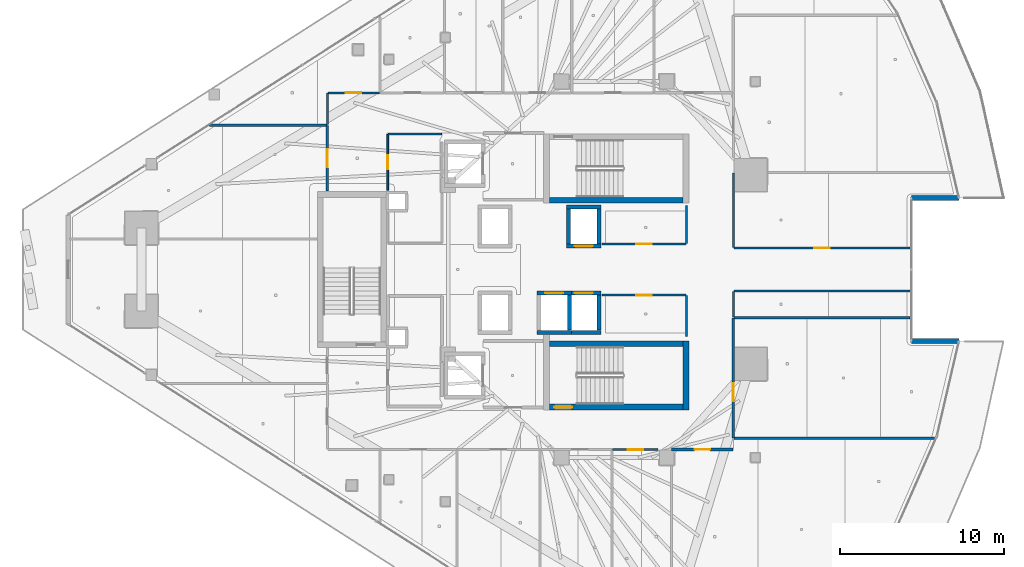
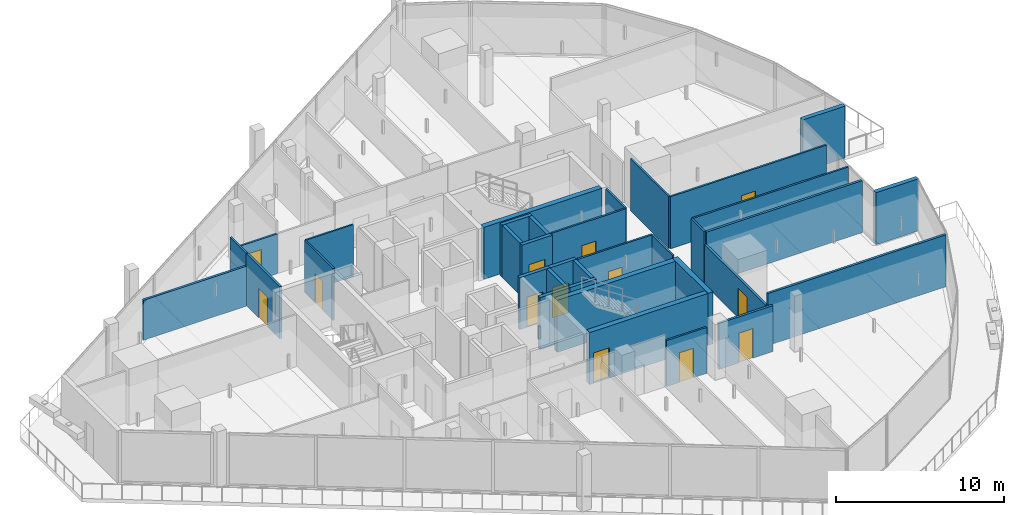
# One storey, part 23 of 33: 35 walls, 13 doors, 13 openings.
"""IFC4 building model written with IfcOpenShell, lengths in metres."""

import ifcopenshell
import ifcopenshell.guid

model = None  # the IFC model being written
_history = None  # IfcOwnerHistory: only IFC2X3 demands one
_inside = {}  # id of a spatial element -> (the spatial element, [elements in it])
_under = {}  # id of a project, library or spatial element -> (it, [spatial elements below it])
_declared = {}  # id of a project -> (the project, [libraries it declares])
_typed = {}  # id of a type object -> (the type object, [elements of that type])
_made_of = {}  # id of a material, layer set ... -> (it, [elements and type objects made of it])


def new_model(schema):
    """Start an empty IFC model of exactly this schema.

    Asked for "IFC4X3", IfcOpenShell would pick the latest addendum, in which some entities
    have other attributes; the version numbers below select the first issue.
    IFC2X3 requires an IfcOwnerHistory on every rooted entity: one is made here for all.
    """
    global model, _history
    if schema == "IFC4X3":
        model = ifcopenshell.file(schema_version=(4, 3, 0, 0))
    else:
        model = ifcopenshell.file(schema=schema)
    _inside.clear()
    _under.clear()
    _declared.clear()
    _typed.clear()
    _made_of.clear()
    _history = None
    if model.schema == "IFC2X3":
        org = make("IfcOrganization", Name="unknown")
        user = make(
            "IfcPersonAndOrganization",
            ThePerson=make("IfcPerson", FamilyName="unknown"),
            TheOrganization=org,
        )
        app = make(
            "IfcApplication",
            ApplicationDeveloper=org,
            Version="unknown",
            ApplicationFullName="unknown",
            ApplicationIdentifier="unknown",
        )
        _history = make(
            "IfcOwnerHistory",
            OwningUser=user,
            OwningApplication=app,
            ChangeAction="ADDED",
            CreationDate=0,
        )
    return model


def make(cls, **values):
    """One entity of the class cls with the attributes given. An attribute that is None is left unset."""
    return model.create_entity(
        cls, **{name: value for name, value in values.items() if value is not None}
    )


def rooted(cls, **values):
    """An entity with a GlobalId (a new one), such as an element, a storey or a relation."""
    return make(cls, GlobalId=ifcopenshell.guid.new(), OwnerHistory=_history, **values)


def si_unit(unit_type, name, prefix=None):
    """IfcSIUnit, for example si_unit("LENGTHUNIT", "METRE", prefix="MILLI")."""
    return make("IfcSIUnit", UnitType=unit_type, Prefix=prefix, Name=name)


def assignment(units):
    """IfcUnitAssignment: the units of a project."""
    return None if units is None else make("IfcUnitAssignment", Units=units)


def point(xyz):
    """IfcCartesianPoint."""
    return None if xyz is None else make("IfcCartesianPoint", Coordinates=xyz)


def direction(xyz):
    """IfcDirection."""
    return None if xyz is None else make("IfcDirection", DirectionRatios=xyz)


def frame(location, z_axis=None, x_axis=None):
    """IfcAxis2Placement3D, a coordinate frame: its origin and axes. An axis left out is left unset."""
    return make(
        "IfcAxis2Placement3D",
        Location=point(location),
        Axis=direction(z_axis),
        RefDirection=direction(x_axis),
    )


def frame_2d(location, x_axis=None):
    """IfcAxis2Placement2D, a coordinate frame in the plane: its origin and x axis."""
    return make(
        "IfcAxis2Placement2D", Location=point(location), RefDirection=direction(x_axis)
    )


def origin():
    """The frame at (0, 0, 0) with its axes left unset."""
    return frame((0.0, 0.0, 0.0))


def place(relative_to, where):
    """IfcLocalPlacement: puts the frame where relative to a parent placement (None: the world)."""
    return make(
        "IfcLocalPlacement", PlacementRelTo=relative_to, RelativePlacement=where
    )


def context(
    kind, dimensions, precision=None, world=None, true_north=None, identifier=None
):
    """IfcGeometricRepresentationContext, for example the 3D "Model" context."""
    return make(
        "IfcGeometricRepresentationContext",
        ContextIdentifier=identifier,
        ContextType=kind,
        CoordinateSpaceDimension=dimensions,
        Precision=precision,
        WorldCoordinateSystem=world,
        TrueNorth=true_north,
    )


def subcontext(parent, identifier, kind, view, scale=None):
    """IfcGeometricRepresentationSubContext, for example "Body" below "Model"."""
    return make(
        "IfcGeometricRepresentationSubContext",
        ContextIdentifier=identifier,
        ContextType=kind,
        ParentContext=parent,
        TargetScale=scale,
        TargetView=view,
    )


def project(units=None, contexts=None):
    """IfcProject with its units and contexts."""
    return rooted(
        "IfcProject",
        Name="project",
        RepresentationContexts=contexts,
        UnitsInContext=assignment(units),
    )


def spatial(cls, under=None, at=None, **own):
    """A site, building, storey or space (cls), placed at a placement, below another one or the project."""
    s = rooted(cls, ObjectPlacement=at, **own)
    if under is not None:
        _under.setdefault(under.id(), (under, []))[1].append(s)
    return s


def profile(cls, at=None, kind="AREA", **sizes):
    """A parametric profile (cls). Its sizes go by their IFC names, for example OverallWidth=200.0."""
    return make(cls, ProfileType=kind, Position=at, **sizes)


def rectangle(**sizes):
    """IfcRectangleProfileDef."""
    return profile("IfcRectangleProfileDef", **sizes)


def extrude(swept, where, along, depth):
    """IfcExtrudedAreaSolid: the profile swept, set in the frame where, extruded along a direction by depth."""
    return make(
        "IfcExtrudedAreaSolid",
        SweptArea=swept,
        Position=where,
        ExtrudedDirection=direction(along),
        Depth=depth,
    )


def shape(context_of_items, identifier, shape_type, items):
    """IfcShapeRepresentation: the items that make up one representation, for example the "Body"."""
    return make(
        "IfcShapeRepresentation",
        ContextOfItems=context_of_items,
        RepresentationIdentifier=identifier,
        RepresentationType=shape_type,
        Items=items,
    )


def material(Name=None, Category=None):
    """IfcMaterial."""
    return make("IfcMaterial", Name=Name, Category=Category)


def layer(
    of_material, thickness, ventilated=None, Name=None, Category=None, Priority=None
):
    """IfcMaterialLayer: one layer of a wall or slab, of a material (None: an air gap)."""
    return make(
        "IfcMaterialLayer",
        Material=of_material,
        LayerThickness=thickness,
        IsVentilated=ventilated,
        Name=Name,
        Category=Category,
        Priority=Priority,
    )


def layer_set(layers, Name=None):
    """IfcMaterialLayerSet."""
    return make("IfcMaterialLayerSet", MaterialLayers=layers, LayerSetName=Name)


def made_of(thing, what):
    """Note that an element or type object is made of a material, layer set ...; save() writes the relation."""
    if what is not None:
        _made_of.setdefault(what.id(), (what, []))[1].append(thing)
    return thing


def type_object(cls, material=None, **own):
    """A type object (cls), such as IfcWallType, which elements share."""
    return made_of(rooted(cls, **own), material)


def element(
    cls,
    number,
    at=None,
    inside=None,
    cuts=None,
    type_object=None,
    material=None,
    context=None,
    identifier="Body",
    shape_type=None,
    held_by="IfcProductDefinitionShape",
    body=None,
    shapes=None,
    **own,
):
    """One element of the class cls, such as IfcWall. Its Tag is "e" and its number.

    at: its placement. inside: the storey or other place that contains it. cuts: it is an
    opening in that element (IfcRelVoidsElement). A single representation is given by context,
    identifier, shape_type and body (its items); several are given by shapes. held_by: the class
    of the entity that holds the representations. save() writes the other relations.
    """
    e = rooted(cls, Tag="e%d" % number, ObjectPlacement=at, **own)
    if body is not None:
        shapes = [shape(context, identifier, shape_type, body)]
    if shapes is not None:
        e.Representation = make(held_by, Representations=shapes)
    if inside is not None:
        _inside.setdefault(inside.id(), (inside, []))[1].append(e)
    if cuts is not None:
        rooted(
            "IfcRelVoidsElement", RelatingBuildingElement=cuts, RelatedOpeningElement=e
        )
    if type_object is not None:
        _typed.setdefault(type_object.id(), (type_object, []))[1].append(e)
    return made_of(e, material)


def fill(opening, filler):
    """IfcRelFillsElement: the door or window that sits in an opening."""
    return rooted(
        "IfcRelFillsElement",
        RelatingOpeningElement=opening,
        RelatedBuildingElement=filler,
    )


def aggregate(whole, parts):
    """IfcRelAggregates: a whole, such as a stair, and the parts it consists of."""
    return rooted("IfcRelAggregates", RelatingObject=whole, RelatedObjects=parts)


def save(model, path):
    """Write the relations noted so far, then the file.

    IfcRelAggregates (storeys below a building ...), IfcRelContainedInSpatialStructure (elements
    in a storey), IfcRelDefinesByType, IfcRelAssociatesMaterial and IfcRelDeclares: one each for
    every whole, place, type object, material and project.
    """
    for whole, parts in _under.values():
        aggregate(whole, parts)
    for where, things in _inside.values():
        rooted(
            "IfcRelContainedInSpatialStructure",
            RelatedElements=things,
            RelatingStructure=where,
        )
    for kind, things in _typed.values():
        rooted("IfcRelDefinesByType", RelatedObjects=things, RelatingType=kind)
    for what, things in _made_of.values():
        rooted("IfcRelAssociatesMaterial", RelatedObjects=things, RelatingMaterial=what)
    for by, libraries in _declared.values():
        rooted("IfcRelDeclares", RelatingContext=by, RelatedDefinitions=libraries)
    model.write(path)


model = new_model("IFC4")

# Units and contexts
model_context = context("Model", 3, precision=1e-05, world=origin(), true_north=direction((0.0, 1.0)))
body_context = subcontext(model_context, "Body", "Model", "MODEL_VIEW")
ifc_project = project(units=[si_unit("LENGTHUNIT", "METRE"), si_unit("AREAUNIT", "SQUARE_METRE"), si_unit("VOLUMEUNIT", "CUBIC_METRE"), si_unit("PLANEANGLEUNIT", "RADIAN"), si_unit("MASSUNIT", "GRAM", prefix="KILO")], contexts=[model_context])

# Site, building, storey
site_placement = place(None, origin())
site = spatial("IfcSite", under=ifc_project, at=site_placement, CompositionType="ELEMENT")
building_placement = place(site_placement, origin())
building = spatial("IfcBuilding", under=site, at=building_placement, Name="Qorvath Tower", CompositionType="ELEMENT")
storey_placement = place(building_placement, frame((0.0, 0.0, 209.10009765625)))
storey = spatial("IfcBuildingStorey", under=building, at=storey_placement, Name="L48", CompositionType="ELEMENT", Elevation=209.10009765625)

# Wall
ifc_material_1 = material(Name="Double acoustic gypsum board on steel studs", Category="steel")
ifc_layer_1 = layer(ifc_material_1, 0.159912109375)
ifc_layer_set_1 = layer_set([ifc_layer_1], Name="IW-ACOUSTIC-160")
wall_type_1 = type_object("IfcWallType", Name="IW-ACOUSTIC-160", PredefinedType="PARTITIONING", material=ifc_layer_set_1)
wall_1_placement = place(storey_placement, frame((-0.886474609375, -10.27880859375, 0.0), z_axis=(0.0, 0.0, 1.0), x_axis=(-0.999999928079, 0.0003792642, 0.0)))
element("IfcWall", 1, at=wall_1_placement, inside=storey, type_object=wall_type_1, Name="Interior Partition IW-T1-L48-044", PredefinedType="PARTITIONING", context=body_context, shape_type="SweptSolid", body=[
    extrude(rectangle(XDim=12.230712890625, YDim=0.159912109375, at=frame_2d((6.115234375, 0.0))), origin(), (0.0, 0.0, 1.0), 3.77978515625),
])

# Wall, opening, door
wall_2_placement = place(storey_placement, frame((-13.1669921875, -10.9580078125, 0.0), z_axis=(0.0, 0.0, 1.0), x_axis=(-1.0, 0.0, 0.0)))
wall_2 = element("IfcWall", 2, at=wall_2_placement, inside=storey, type_object=wall_type_1, Name="Interior Partition IW-T1-L48-045", PredefinedType="PARTITIONING", context=body_context, shape_type="SweptSolid", body=[
    extrude(rectangle(XDim=3.726806640625, YDim=0.159912109375, at=frame_2d((1.86328125, 0.0))), origin(), (0.0, 0.0, 1.0), 3.343994140625),
])
opening_1_placement = place(wall_2_placement, frame((1.388427734375, 0.0, 0.0)))
opening_1 = element("IfcOpeningElement", 3, at=opening_1_placement, cuts=wall_2, Name="Opening D-T1-L48-23", PredefinedType="OPENING", context=body_context, shape_type="SweptSolid", body=[
    extrude(rectangle(XDim=0.949951171875, YDim=2.14990234375, at=frame_2d((0.47509765625, 1.074951171875))), frame((0.0, 0.08984375, 0.0), z_axis=(0.0, -1.0, 0.0), x_axis=(1.0, 0.0, 0.0)), (0.0, 0.0, 1.0), 0.179931640625),
])
ifc_material_2 = material(Name="Solid-core American white oak veneer", Category="wood")
door_type_1 = type_object("IfcDoorType", Name="D-01", OperationType="NOTDEFINED", PredefinedType="DOOR", material=ifc_material_2)
door_1_placement = place(opening_1_placement, origin())
door_1 = element("IfcDoor", 4, at=door_1_placement, inside=storey, type_object=door_type_1, Name="L48-10 Breakout Reading Alcove Door D-T1-L48-23", OperationType="SINGLE_SWING_LEFT", OverallHeight=2.14990234375, OverallWidth=0.949951171875, PredefinedType="DOOR", context=body_context, shape_type="SweptSolid", body=[
    extrude(rectangle(XDim=0.949951171875, YDim=2.14990234375, at=frame_2d((0.47509765625, 1.074951171875))), frame((0.0, 0.02490234375, 0.0), z_axis=(0.0, -1.0, 0.0), x_axis=(1.0, 0.0, 0.0)), (0.0, 0.0, 1.0), 0.050048828125),
])
fill(opening_1, door_1)

# Wall
wall_3_placement = place(storey_placement, frame((-2.390869140625, -2.92578125, 0.0), z_axis=(0.0, 0.0, 1.0), x_axis=(-1.0, 0.0, 0.0)))
element("IfcWall", 5, at=wall_3_placement, inside=storey, type_object=wall_type_1, Name="Interior Partition IW-T1-L48-046", PredefinedType="PARTITIONING", context=body_context, shape_type="SweptSolid", body=[
    extrude(rectangle(XDim=10.726318359375, YDim=0.159912109375, at=frame_2d((5.36328125, 0.0))), origin(), (0.0, 0.0, 1.0), 3.77978515625),
])

# Wall, opening, door
wall_4_placement = place(storey_placement, frame((-13.14208984375, -2.95068359375, 0.0), z_axis=(0.0, 0.0, 1.0), x_axis=(0.0, -1.0, 0.0)))
wall_4 = element("IfcWall", 6, at=wall_4_placement, inside=storey, type_object=wall_type_1, Name="Interior Partition IW-T1-L48-047", PredefinedType="PARTITIONING", context=body_context, shape_type="SweptSolid", body=[
    extrude(rectangle(XDim=7.29052734375, YDim=0.159912109375, at=frame_2d((3.645263671875, 0.0))), origin(), (0.0, 0.0, 1.0), 2.899658203125),
])
opening_2_placement = place(wall_4_placement, frame((3.9794921875, 0.0, 0.0)))
opening_2 = element("IfcOpeningElement", 7, at=opening_2_placement, cuts=wall_4, Name="Opening D-T1-L48-14", PredefinedType="OPENING", context=body_context, shape_type="SweptSolid", body=[
    extrude(rectangle(XDim=1.10009765625, YDim=2.14990234375, at=frame_2d((0.550048828125, 1.074951171875))), frame((0.0, 0.08984375, 0.0), z_axis=(0.0, -1.0, 0.0), x_axis=(1.0, 0.0, 0.0)), (0.0, 0.0, 1.0), 0.179931640625),
])
ifc_material_3 = material(Name="Anodised aluminium acoustic framed glass", Category="aluminium")
door_type_2 = type_object("IfcDoorType", Name="D-03", OperationType="NOTDEFINED", PredefinedType="DOOR", material=ifc_material_3)
door_2_placement = place(opening_2_placement, origin())
door_2 = element("IfcDoor", 8, at=door_2_placement, inside=storey, type_object=door_type_2, Name="L48-11 Team Project Office Door D-T1-L48-14", OperationType="SINGLE_SWING_RIGHT", OverallHeight=2.14990234375, OverallWidth=1.10009765625, PredefinedType="DOOR", context=body_context, shape_type="SweptSolid", body=[
    extrude(rectangle(XDim=1.10009765625, YDim=2.14990234375, at=frame_2d((0.550048828125, 1.074951171875))), frame((0.0, 0.02490234375, 0.0), z_axis=(0.0, -1.0, 0.0), x_axis=(1.0, 0.0, 0.0)), (0.0, 0.0, 1.0), 0.050048828125),
])
fill(opening_2, door_2)

wall_5_placement = place(storey_placement, frame((-37.85791015625, 4.783203125, 0.0), z_axis=(0.0, 0.0, 1.0), x_axis=(0.0, 1.0, 0.0)))
wall_5 = element("IfcWall", 9, at=wall_5_placement, inside=storey, type_object=wall_type_1, Name="Interior Partition IW-T1-L48-060", PredefinedType="PARTITIONING", context=body_context, shape_type="SweptSolid", body=[
    extrude(rectangle(XDim=3.9755859375, YDim=0.159912109375, at=frame_2d((1.98779296875, 0.0))), origin(), (0.0, 0.0, 1.0), 3.77978515625),
])
opening_3_placement = place(wall_5_placement, frame((1.437744140625, 0.0, 0.0)))
opening_3 = element("IfcOpeningElement", 10, at=opening_3_placement, cuts=wall_5, Name="Opening D-T1-L48-19", PredefinedType="OPENING", context=body_context, shape_type="SweptSolid", body=[
    extrude(rectangle(XDim=1.10009765625, YDim=2.14990234375, at=frame_2d((0.550048828125, 1.074951171875))), frame((0.0, 0.08984375, 0.0), z_axis=(0.0, -1.0, 0.0), x_axis=(1.0, 0.0, 0.0)), (0.0, 0.0, 1.0), 0.179931640625),
])
door_3_placement = place(opening_3_placement, origin())
door_3 = element("IfcDoor", 11, at=door_3_placement, inside=storey, type_object=door_type_2, Name="L48-16 Client Services Office Door D-T1-L48-19", OperationType="SINGLE_SWING_LEFT", OverallHeight=2.14990234375, OverallWidth=1.10009765625, PredefinedType="DOOR", context=body_context, shape_type="SweptSolid", body=[
    extrude(rectangle(XDim=1.10009765625, YDim=2.14990234375, at=frame_2d((0.550048828125, 1.074951171875))), frame((0.0, 0.02490234375, 0.0), z_axis=(0.0, -1.0, 0.0), x_axis=(1.0, 0.0, 0.0)), (0.0, 0.0, 1.0), 0.050048828125),
])
fill(opening_3, door_3)

# Wall
wall_6_placement = place(storey_placement, frame((-37.8828125, 8.78369140625, 0.0), z_axis=(0.0, 0.0, 1.0), x_axis=(-1.0, 0.0, 0.0)))
element("IfcWall", 12, at=wall_6_placement, inside=storey, type_object=wall_type_1, Name="Interior Partition IW-T1-L48-061", PredefinedType="PARTITIONING", context=body_context, shape_type="SweptSolid", body=[
    extrude(rectangle(XDim=7.144775390625, YDim=0.159912109375, at=frame_2d((3.572265625, 0.0))), origin(), (0.0, 0.0, 1.0), 2.899658203125),
])

# Wall, opening, door
ifc_material_4 = material(Name="Gypsum board on metal studs with mineral wool", Category="gypsum")
ifc_layer_2 = layer(ifc_material_4, 0.125)
ifc_layer_set_2 = layer_set([ifc_layer_2], Name="IW-PART-125")
wall_type_2 = type_object("IfcWallType", Name="IW-PART-125", PredefinedType="PARTITIONING", material=ifc_layer_set_2)
wall_7_placement = place(storey_placement, frame((-21.1337890625, 1.56005859375, 0.0), z_axis=(0.0, 0.0, 1.0), x_axis=(1.0, 0.0, 0.0)))
wall_7 = element("IfcWall", 13, at=wall_7_placement, inside=storey, type_object=wall_type_2, Name="Interior Partition IW-T1-L48-011", PredefinedType="PARTITIONING", context=body_context, shape_type="SweptSolid", body=[
    extrude(rectangle(XDim=5.10888671875, YDim=0.125, at=frame_2d((2.554443359375, 0.0))), origin(), (0.0, 0.0, 1.0), 3.77978515625),
])
opening_4_placement = place(wall_7_placement, frame((2.079345703125, 0.0, 0.0)))
opening_4 = element("IfcOpeningElement", 14, at=opening_4_placement, cuts=wall_7, Name="Opening D-T1-L48-02", PredefinedType="OPENING", context=body_context, shape_type="SweptSolid", body=[
    extrude(rectangle(XDim=0.949951171875, YDim=2.14990234375, at=frame_2d((0.47509765625, 1.074951171875))), frame((0.0, 0.072509765625, 0.0), z_axis=(0.0, -1.0, 0.0), x_axis=(1.0, 0.0, 0.0)), (0.0, 0.0, 1.0), 0.14501953125),
])
door_4_placement = place(opening_4_placement, origin())
door_4 = element("IfcDoor", 15, at=door_4_placement, inside=storey, type_object=door_type_1, Name="L48-RCN North Quantitative Server Suite Door D-T1-L48-02", OperationType="SINGLE_SWING_RIGHT", OverallHeight=2.14990234375, OverallWidth=0.949951171875, PredefinedType="DOOR", context=body_context, shape_type="SweptSolid", body=[
    extrude(rectangle(XDim=0.949951171875, YDim=2.14990234375, at=frame_2d((0.47509765625, 1.074951171875))), frame((0.0, 0.02490234375, 0.0), z_axis=(0.0, -1.0, 0.0), x_axis=(1.0, 0.0, 0.0)), (0.0, 0.0, 1.0), 0.050048828125),
])
fill(opening_4, door_4)

# Walls
wall_8_placement = place(storey_placement, frame((-16.0, 1.585205078125, 0.0), z_axis=(0.0, 0.0, 1.0), x_axis=(0.0, 1.0, 0.0)))
element("IfcWall", 16, at=wall_8_placement, inside=storey, type_object=wall_type_2, Name="Interior Partition IW-T1-L48-012", PredefinedType="PARTITIONING", context=body_context, shape_type="SweptSolid", body=[
    extrude(rectangle(XDim=2.30224609375, YDim=0.125, at=frame_2d((1.151123046875, 0.0))), origin(), (0.0, 0.0, 1.0), 3.77978515625),
])
wall_9_placement = place(storey_placement, frame((-16.0, -4.0751953125, 0.0), z_axis=(0.0, 0.0, 1.0), x_axis=(0.0, 1.0, 0.0)))
element("IfcWall", 17, at=wall_9_placement, inside=storey, type_object=wall_type_2, Name="Interior Partition IW-T1-L48-013", PredefinedType="PARTITIONING", context=body_context, shape_type="SweptSolid", body=[
    extrude(rectangle(XDim=2.489990234375, YDim=0.125, at=frame_2d((1.2451171875, 0.0))), origin(), (0.0, 0.0, 1.0), 3.77978515625),
])

# Wall, opening, door
wall_10_placement = place(storey_placement, frame((-16.02490234375, -1.56005859375, 0.0), z_axis=(0.0, 0.0, 1.0), x_axis=(-1.0, 0.0, 0.0)))
wall_10 = element("IfcWall", 18, at=wall_10_placement, inside=storey, type_object=wall_type_2, Name="Interior Partition IW-T1-L48-014", PredefinedType="PARTITIONING", context=body_context, shape_type="SweptSolid", body=[
    extrude(rectangle(XDim=5.10888671875, YDim=0.125, at=frame_2d((2.554443359375, 0.0))), origin(), (0.0, 0.0, 1.0), 3.77978515625),
])
opening_5_placement = place(wall_10_placement, frame((2.079345703125, 0.0, 0.0)))
opening_5 = element("IfcOpeningElement", 19, at=opening_5_placement, cuts=wall_10, Name="Opening D-T1-L48-03", PredefinedType="OPENING", context=body_context, shape_type="SweptSolid", body=[
    extrude(rectangle(XDim=0.949951171875, YDim=2.14990234375, at=frame_2d((0.47509765625, 1.074951171875))), frame((0.0, 0.072509765625, 0.0), z_axis=(0.0, -1.0, 0.0), x_axis=(1.0, 0.0, 0.0)), (0.0, 0.0, 1.0), 0.14501953125),
])
door_5_placement = place(opening_5_placement, origin())
door_5 = element("IfcDoor", 20, at=door_5_placement, inside=storey, type_object=door_type_1, Name="L48-RCS South Quantitative Server Suite Door D-T1-L48-03", OperationType="SINGLE_SWING_LEFT", OverallHeight=2.14990234375, OverallWidth=0.949951171875, PredefinedType="DOOR", context=body_context, shape_type="SweptSolid", body=[
    extrude(rectangle(XDim=0.949951171875, YDim=2.14990234375, at=frame_2d((0.47509765625, 1.074951171875))), frame((0.0, 0.02490234375, 0.0), z_axis=(0.0, -1.0, 0.0), x_axis=(1.0, 0.0, 0.0)), (0.0, 0.0, 1.0), 0.050048828125),
])
fill(opening_5, door_5)

wall_11_placement = place(storey_placement, frame((-17.715087890625, -10.96728515625, 0.0), z_axis=(0.0, 0.0, 1.0), x_axis=(-0.999994395436, 0.003347998857, 0.0)))
wall_11 = element("IfcWall", 21, at=wall_11_placement, inside=storey, type_object=wall_type_2, Name="Interior Partition IW-T1-L48-043", PredefinedType="PARTITIONING", context=body_context, shape_type="SweptSolid", body=[
    extrude(rectangle(XDim=2.77099609375, YDim=0.125, at=frame_2d((1.385498046875, 0.0))), origin(), (0.0, 0.0, 1.0), 3.343994140625),
])
opening_6_placement = place(wall_11_placement, frame((0.910400390625, 0.0, 0.0)))
opening_6 = element("IfcOpeningElement", 22, at=opening_6_placement, cuts=wall_11, Name="Opening D-T1-L48-13", PredefinedType="OPENING", context=body_context, shape_type="SweptSolid", body=[
    extrude(rectangle(XDim=0.949951171875, YDim=2.14990234375, at=frame_2d((0.47509765625, 1.074951171875))), frame((0.0, 0.072509765625, 0.0), z_axis=(0.0, -1.0, 0.0), x_axis=(1.0, 0.0, 0.0)), (0.0, 0.0, 1.0), 0.14501953125),
])
door_6_placement = place(opening_6_placement, origin())
door_6 = element("IfcDoor", 23, at=door_6_placement, inside=storey, type_object=door_type_1, Name="L48-09 Executive Partner Office Door D-T1-L48-13", OperationType="SINGLE_SWING_LEFT", OverallHeight=2.14990234375, OverallWidth=0.949951171875, PredefinedType="DOOR", context=body_context, shape_type="SweptSolid", body=[
    extrude(rectangle(XDim=0.949951171875, YDim=2.14990234375, at=frame_2d((0.47509765625, 1.074951171875))), frame((0.0, 0.02490234375, 0.0), z_axis=(0.0, -1.0, 0.0), x_axis=(1.0, 0.0, 0.0)), (0.0, 0.0, 1.0), 0.050048828125),
])
fill(opening_6, door_6)

# Wall
wall_12_placement = place(storey_placement, frame((-13.14208984375, 5.880615234375, 0.0), z_axis=(0.0, 0.0, 1.0), x_axis=(0.0, -1.0, 0.0)))
element("IfcWall", 24, at=wall_12_placement, inside=storey, type_object=wall_type_2, Name="Interior Partition IW-T1-L48-049", PredefinedType="PARTITIONING", context=body_context, shape_type="SweptSolid", body=[
    extrude(rectangle(XDim=4.547607421875, YDim=0.125, at=frame_2d((2.27392578125, 0.0))), origin(), (0.0, 0.0, 1.0), 3.77978515625),
])

# Wall, opening, door
wall_13_placement = place(storey_placement, frame((-13.1171875, 1.30810546875, 0.0), z_axis=(0.0, 0.0, 1.0), x_axis=(1.0, 0.0, 0.0)))
wall_13 = element("IfcWall", 25, at=wall_13_placement, inside=storey, type_object=wall_type_2, Name="Interior Partition IW-T1-L48-050", PredefinedType="PARTITIONING", context=body_context, shape_type="SweptSolid", body=[
    extrude(rectangle(XDim=10.726318359375, YDim=0.125, at=frame_2d((5.36328125, 0.0))), origin(), (0.0, 0.0, 1.0), 3.77978515625),
])
opening_7_placement = place(wall_13_placement, frame((4.88818359375, 0.0, 0.0)))
opening_7 = element("IfcOpeningElement", 26, at=opening_7_placement, cuts=wall_13, Name="Opening D-T1-L48-15", PredefinedType="OPENING", context=body_context, shape_type="SweptSolid", body=[
    extrude(rectangle(XDim=0.949951171875, YDim=2.14990234375, at=frame_2d((0.47509765625, 1.074951171875))), frame((0.0, 0.072509765625, 0.0), z_axis=(0.0, -1.0, 0.0), x_axis=(1.0, 0.0, 0.0)), (0.0, 0.0, 1.0), 0.14501953125),
])
door_7_placement = place(opening_7_placement, origin())
door_7 = element("IfcDoor", 27, at=door_7_placement, inside=storey, type_object=door_type_1, Name="L48-12 Engineering Documentation Suite Door D-T1-L48-15", OperationType="SINGLE_SWING_LEFT", OverallHeight=2.14990234375, OverallWidth=0.949951171875, PredefinedType="DOOR", context=body_context, shape_type="SweptSolid", body=[
    extrude(rectangle(XDim=0.949951171875, YDim=2.14990234375, at=frame_2d((0.47509765625, 1.074951171875))), frame((0.0, 0.02490234375, 0.0), z_axis=(0.0, -1.0, 0.0), x_axis=(1.0, 0.0, 0.0)), (0.0, 0.0, 1.0), 0.050048828125),
])
fill(opening_7, door_7)

# Walls
wall_14_placement = place(storey_placement, frame((-13.1171875, -1.30810546875, 0.0), z_axis=(0.0, 0.0, 1.0), x_axis=(1.0, 0.0, 0.0)))
element("IfcWall", 28, at=wall_14_placement, inside=storey, type_object=wall_type_2, Name="Interior Partition IW-T1-L48-051", PredefinedType="PARTITIONING", context=body_context, shape_type="SweptSolid", body=[
    extrude(rectangle(XDim=10.726318359375, YDim=0.125, at=frame_2d((5.36328125, 0.0))), origin(), (0.0, 0.0, 1.0), 3.77978515625),
])
wall_15_placement = place(storey_placement, frame((-13.14208984375, -1.3330078125, 0.0), z_axis=(0.0, 0.0, 1.0), x_axis=(0.0, -1.0, 0.0)))
element("IfcWall", 29, at=wall_15_placement, inside=storey, type_object=wall_type_2, Name="Interior Partition IW-T1-L48-052", PredefinedType="PARTITIONING", context=body_context, shape_type="SweptSolid", body=[
    extrude(rectangle(XDim=1.56005859375, YDim=0.125, at=frame_2d((0.780029296875, 0.0))), origin(), (0.0, 0.0, 1.0), 3.77978515625),
])
wall_16_placement = place(storey_placement, frame((-37.85791015625, 8.816650390625, 0.0), z_axis=(0.0, 0.0, 1.0), x_axis=(0.0, 1.0, 0.0)))
element("IfcWall", 30, at=wall_16_placement, inside=storey, type_object=wall_type_2, Name="Interior Partition IW-T1-L48-062", PredefinedType="PARTITIONING", context=body_context, shape_type="SweptSolid", body=[
    extrude(rectangle(XDim=1.91650390625, YDim=0.125, at=frame_2d((0.958251953125, 0.0))), origin(), (0.0, 0.0, 1.0), 3.77978515625),
])

# Wall, opening, door
wall_17_placement = place(storey_placement, frame((-37.8330078125, 10.758056640625, 0.0), z_axis=(0.0, 0.0, 1.0), x_axis=(1.0, 0.0, 0.0)))
wall_17 = element("IfcWall", 31, at=wall_17_placement, inside=storey, type_object=wall_type_2, Name="Interior Partition IW-T1-L48-063", PredefinedType="PARTITIONING", context=body_context, shape_type="SweptSolid", body=[
    extrude(rectangle(XDim=3.14990234375, YDim=0.125, at=frame_2d((1.574951171875, 0.0))), origin(), (0.0, 0.0, 1.0), 2.899658203125),
])
opening_8_placement = place(wall_17_placement, frame((1.099853515625, 0.0, 0.0)))
opening_8 = element("IfcOpeningElement", 32, at=opening_8_placement, cuts=wall_17, Name="Opening D-T1-L48-20", PredefinedType="OPENING", context=body_context, shape_type="SweptSolid", body=[
    extrude(rectangle(XDim=0.949951171875, YDim=2.14990234375, at=frame_2d((0.47509765625, 1.074951171875))), frame((0.0, 0.072509765625, 0.0), z_axis=(0.0, -1.0, 0.0), x_axis=(1.0, 0.0, 0.0)), (0.0, 0.0, 1.0), 0.14501953125),
])
door_8_placement = place(opening_8_placement, origin())
door_8 = element("IfcDoor", 33, at=door_8_placement, inside=storey, type_object=door_type_1, Name="L48-17 Project Collaboration Workspace Door D-T1-L48-20", OperationType="SINGLE_SWING_RIGHT", OverallHeight=2.14990234375, OverallWidth=0.949951171875, PredefinedType="DOOR", context=body_context, shape_type="SweptSolid", body=[
    extrude(rectangle(XDim=0.949951171875, YDim=2.14990234375, at=frame_2d((0.47509765625, 1.074951171875))), frame((0.0, 0.02490234375, 0.0), z_axis=(0.0, -1.0, 0.0), x_axis=(1.0, 0.0, 0.0)), (0.0, 0.0, 1.0), 0.050048828125),
])
fill(opening_8, door_8)

# Wall
ifc_material_5 = material(Name="Moisture-resistant cement board on metal studs", Category="gypsum")
ifc_layer_3 = layer(ifc_material_5, 0.110107421875)
ifc_layer_set_3 = layer_set([ifc_layer_3], Name="IW-WC-110")
wall_type_3 = type_object("IfcWallType", Name="IW-WC-110", PredefinedType="PARTITIONING", material=ifc_layer_set_3)
wall_18_placement = place(storey_placement, frame((-30.90478515625, 8.25, 0.0), z_axis=(0.0, 0.0, 1.0), x_axis=(-1.0, 0.0, 0.0)))
element("IfcWall", 34, at=wall_18_placement, inside=storey, type_object=wall_type_3, Name="Interior Partition IW-T1-L48-008", PredefinedType="PARTITIONING", context=body_context, shape_type="SweptSolid", body=[
    extrude(rectangle(XDim=3.25, YDim=0.110107421875, at=frame_2d((1.625, 0.0))), origin(), (0.0, 0.0, 1.0), 3.77978515625),
])

# Wall, opening, door
wall_19_placement = place(storey_placement, frame((-34.179931640625, 8.22509765625, 0.0), z_axis=(0.0, 0.0, 1.0), x_axis=(0.0, -1.0, 0.0)))
wall_19 = element("IfcWall", 35, at=wall_19_placement, inside=storey, type_object=wall_type_3, Name="Interior Partition IW-T1-L48-009", PredefinedType="PARTITIONING", context=body_context, shape_type="SweptSolid", body=[
    extrude(rectangle(XDim=3.385009765625, YDim=0.110107421875, at=frame_2d((1.6923828125, 0.0))), origin(), (0.0, 0.0, 1.0), 3.77978515625),
])
opening_9_placement = place(wall_19_placement, frame((1.25244140625, 0.0, 0.0)))
opening_9 = element("IfcOpeningElement", 36, at=opening_9_placement, cuts=wall_19, Name="Opening D-T1-L48-01", PredefinedType="OPENING", context=body_context, shape_type="SweptSolid", body=[
    extrude(rectangle(XDim=0.8798828125, YDim=2.10009765625, at=frame_2d((0.43994140625, 1.050048828125))), frame((0.0, 0.06494140625, 0.0), z_axis=(0.0, -1.0, 0.0), x_axis=(1.0, 0.0, 0.0)), (0.0, 0.0, 1.0), 0.130126953125),
])
ifc_material_6 = material(Name="Solid-core oak with acoustic drop seal", Category="wood")
door_type_3 = type_object("IfcDoorType", Name="D-02", OperationType="NOTDEFINED", PredefinedType="DOOR", material=ifc_material_6)
door_9_placement = place(opening_9_placement, origin())
door_9 = element("IfcDoor", 37, at=door_9_placement, inside=storey, type_object=door_type_3, Name="Accessible WC North L48 Door D-T1-L48-01", OperationType="SINGLE_SWING_LEFT", OverallHeight=2.10009765625, OverallWidth=0.8798828125, PredefinedType="DOOR", context=body_context, shape_type="SweptSolid", body=[
    extrude(rectangle(XDim=0.8798828125, YDim=2.10009765625, at=frame_2d((0.43994140625, 1.050048828125))), frame((0.0, 0.02490234375, 0.0), z_axis=(0.0, -1.0, 0.0), x_axis=(1.0, 0.0, 0.0)), (0.0, 0.0, 1.0), 0.050048828125),
])
fill(opening_9, door_9)

ifc_material_7 = material(Name="Concrete C60/75", Category="concrete")
ifc_layer_4 = layer(ifc_material_7, 0.260009765625)
ifc_layer_set_4 = layer_set([ifc_layer_4], Name="SW-SHAFT")
wall_type_4 = type_object("IfcWallType", Name="SW-SHAFT", PredefinedType="SHEAR", material=ifc_layer_set_4)
wall_20_placement = place(storey_placement, frame((-21.2099609375, 1.429931640625, 0.0), z_axis=(0.0, 0.0, 1.0), x_axis=(-1.0, 0.0, 0.0)))
wall_20 = element("IfcWall", 38, at=wall_20_placement, inside=storey, type_object=wall_type_4, Name="Hoistway Wall PU-1 L48 S", PredefinedType="SHEAR", context=body_context, shape_type="SweptSolid", body=[
    extrude(rectangle(XDim=2.080078125, YDim=0.239990234375, at=frame_2d((1.0400390625, 0.0))), origin(), (0.0, 0.0, 1.0), 3.77978515625),
])
opening_10_placement = place(wall_20_placement, frame((0.489990234375, 0.0, 0.0)))
opening_10 = element("IfcOpeningElement", 39, at=opening_10_placement, cuts=wall_20, Name="Opening LD-PU-1-L48", PredefinedType="OPENING", context=body_context, shape_type="SweptSolid", body=[
    extrude(rectangle(XDim=1.10009765625, YDim=2.199951171875, at=frame_2d((0.550048828125, 1.10009765625))), frame((0.0, 0.1298828125, 0.0), z_axis=(0.0, -1.0, 0.0), x_axis=(1.0, 0.0, 0.0)), (0.0, 0.0, 1.0), 0.260009765625),
])
ifc_material_8 = material(Name="Brushed stainless steel AISI 316", Category="steel")
door_type_4 = type_object("IfcDoorType", Name="LD-01", OperationType="NOTDEFINED", PredefinedType="DOOR", material=ifc_material_8)
door_10_placement = place(opening_10_placement, origin())
door_10 = element("IfcDoor", 40, at=door_10_placement, inside=storey, type_object=door_type_4, Name="Elevator Landing Sliding Door LD-PU-1-L48", OperationType="DOUBLE_DOOR_SLIDING", OverallHeight=2.199951171875, OverallWidth=1.10009765625, PredefinedType="DOOR", context=body_context, shape_type="SweptSolid", body=[
    extrude(rectangle(XDim=1.10009765625, YDim=2.199951171875, at=frame_2d((0.550048828125, 1.10009765625))), frame((0.0, 0.02490234375, 0.0), z_axis=(0.0, -1.0, 0.0), x_axis=(1.0, 0.0, 0.0)), (0.0, 0.0, 1.0), 0.050048828125),
])
fill(opening_10, door_10)

# Walls
wall_21_placement = place(storey_placement, frame((-23.2900390625, 3.820068359375, 0.0), z_axis=(0.0, 0.0, 1.0), x_axis=(1.0, 0.0, 0.0)))
element("IfcWall", 41, at=wall_21_placement, inside=storey, type_object=wall_type_4, Name="Hoistway Wall PU-1 L48 N", PredefinedType="SHEAR", context=body_context, shape_type="SweptSolid", body=[
    extrude(rectangle(XDim=2.080078125, YDim=0.239990234375, at=frame_2d((1.0400390625, 0.0))), origin(), (0.0, 0.0, 1.0), 3.77978515625),
])
for number, where, z_axis, x_axis, name in (
    (42, (-23.169921875, 1.56201171875, 0.0), (0.0, 0.0, 1.0), (0.0, 1.0, 0.0), "Hoistway Wall PU-1 L48 W"),
    (43, (-21.330078125, 3.68798828125, 0.0), (0.0, 0.0, 1.0), (0.0, -1.0, 0.0), "Hoistway Wall PU-1 L48 E"),
):
    element("IfcWall", number, at=place(storey_placement, frame(where, z_axis=z_axis, x_axis=x_axis)), inside=storey, type_object=wall_type_4, Name=name, PredefinedType="SHEAR", context=body_context, shape_type="SweptSolid", body=[
        extrude(rectangle(XDim=2.1259765625, YDim=0.239990234375, at=frame_2d((1.06298828125, 0.0))), origin(), (0.0, 0.0, 1.0), 3.77978515625),
    ])
wall_22_placement = place(storey_placement, frame((-23.010009765625, -3.820068359375, 0.0), z_axis=(0.0, 0.0, 1.0), x_axis=(-1.0, 0.0, 0.0)))
element("IfcWall", 44, at=wall_22_placement, inside=storey, type_object=wall_type_4, Name="Hoistway Wall PU-2 L48 S", PredefinedType="SHEAR", context=body_context, shape_type="SweptSolid", body=[
    extrude(rectangle(XDim=2.080078125, YDim=0.239990234375, at=frame_2d((1.0400390625, 0.0))), origin(), (0.0, 0.0, 1.0), 3.77978515625),
])

# Wall, opening, door
wall_23_placement = place(storey_placement, frame((-25.090087890625, -1.429931640625, 0.0), z_axis=(0.0, 0.0, 1.0), x_axis=(1.0, 0.0, 0.0)))
wall_23 = element("IfcWall", 45, at=wall_23_placement, inside=storey, type_object=wall_type_4, Name="Hoistway Wall PU-2 L48 N", PredefinedType="SHEAR", context=body_context, shape_type="SweptSolid", body=[
    extrude(rectangle(XDim=2.080078125, YDim=0.239990234375, at=frame_2d((1.0400390625, 0.0))), origin(), (0.0, 0.0, 1.0), 3.77978515625),
])
opening_11_placement = place(wall_23_placement, frame((0.489990234375, 0.0, 0.0)))
opening_11 = element("IfcOpeningElement", 46, at=opening_11_placement, cuts=wall_23, Name="Opening LD-PU-2-L48", PredefinedType="OPENING", context=body_context, shape_type="SweptSolid", body=[
    extrude(rectangle(XDim=1.10009765625, YDim=2.199951171875, at=frame_2d((0.550048828125, 1.10009765625))), frame((0.0, 0.1298828125, 0.0), z_axis=(0.0, -1.0, 0.0), x_axis=(1.0, 0.0, 0.0)), (0.0, 0.0, 1.0), 0.260009765625),
])
door_11_placement = place(opening_11_placement, origin())
door_11 = element("IfcDoor", 47, at=door_11_placement, inside=storey, type_object=door_type_4, Name="Elevator Landing Sliding Door LD-PU-2-L48", OperationType="DOUBLE_DOOR_SLIDING", OverallHeight=2.199951171875, OverallWidth=1.10009765625, PredefinedType="DOOR", context=body_context, shape_type="SweptSolid", body=[
    extrude(rectangle(XDim=1.10009765625, YDim=2.199951171875, at=frame_2d((0.550048828125, 1.10009765625))), frame((0.0, 0.02490234375, 0.0), z_axis=(0.0, -1.0, 0.0), x_axis=(1.0, 0.0, 0.0)), (0.0, 0.0, 1.0), 0.050048828125),
])
fill(opening_11, door_11)

# Walls
wall_24_placement = place(storey_placement, frame((-23.1298828125, -1.56201171875, 0.0), z_axis=(0.0, 0.0, 1.0), x_axis=(0.0, -1.0, 0.0)))
element("IfcWall", 48, at=wall_24_placement, inside=storey, type_object=wall_type_4, Name="Hoistway Wall PU-2 L48 E", PredefinedType="SHEAR", context=body_context, shape_type="SweptSolid", body=[
    extrude(rectangle(XDim=2.1259765625, YDim=0.239990234375, at=frame_2d((1.06298828125, 0.0))), origin(), (0.0, 0.0, 1.0), 3.77978515625),
])
wall_25_placement = place(storey_placement, frame((-21.2099609375, -3.820068359375, 0.0), z_axis=(0.0, 0.0, 1.0), x_axis=(-1.0, 0.0, 0.0)))
element("IfcWall", 49, at=wall_25_placement, inside=storey, type_object=wall_type_4, Name="Hoistway Wall PU-3 L48 S", PredefinedType="SHEAR", context=body_context, shape_type="SweptSolid", body=[
    extrude(rectangle(XDim=1.800048828125, YDim=0.239990234375, at=frame_2d((0.89990234375, 0.0))), origin(), (0.0, 0.0, 1.0), 3.77978515625),
])

# Wall, opening, door
wall_26_placement = place(storey_placement, frame((-23.010009765625, -1.429931640625, 0.0), z_axis=(0.0, 0.0, 1.0), x_axis=(1.0, 0.0, 0.0)))
wall_26 = element("IfcWall", 50, at=wall_26_placement, inside=storey, type_object=wall_type_4, Name="Hoistway Wall PU-3 L48 N", PredefinedType="SHEAR", context=body_context, shape_type="SweptSolid", body=[
    extrude(rectangle(XDim=1.800048828125, YDim=0.239990234375, at=frame_2d((0.89990234375, 0.0))), origin(), (0.0, 0.0, 1.0), 3.77978515625),
])
opening_12_placement = place(wall_26_placement, frame((0.2099609375, 0.0, 0.0)))
opening_12 = element("IfcOpeningElement", 51, at=opening_12_placement, cuts=wall_26, Name="Opening LD-PU-3-L48", PredefinedType="OPENING", context=body_context, shape_type="SweptSolid", body=[
    extrude(rectangle(XDim=1.10009765625, YDim=2.199951171875, at=frame_2d((0.550048828125, 1.10009765625))), frame((0.0, 0.1298828125, 0.0), z_axis=(0.0, -1.0, 0.0), x_axis=(1.0, 0.0, 0.0)), (0.0, 0.0, 1.0), 0.260009765625),
])
door_12_placement = place(opening_12_placement, origin())
door_12 = element("IfcDoor", 52, at=door_12_placement, inside=storey, type_object=door_type_4, Name="Elevator Landing Sliding Door LD-PU-3-L48", OperationType="DOUBLE_DOOR_SLIDING", OverallHeight=2.199951171875, OverallWidth=1.10009765625, PredefinedType="DOOR", context=body_context, shape_type="SweptSolid", body=[
    extrude(rectangle(XDim=1.10009765625, YDim=2.199951171875, at=frame_2d((0.550048828125, 1.10009765625))), frame((0.0, 0.02490234375, 0.0), z_axis=(0.0, -1.0, 0.0), x_axis=(1.0, 0.0, 0.0)), (0.0, 0.0, 1.0), 0.050048828125),
])
fill(opening_12, door_12)

# Walls
wall_27_placement = place(storey_placement, frame((-21.330078125, -1.56201171875, 0.0), z_axis=(0.0, 0.0, 1.0), x_axis=(0.0, -1.0, 0.0)))
element("IfcWall", 53, at=wall_27_placement, inside=storey, type_object=wall_type_4, Name="Hoistway Wall PU-3 L48 E", PredefinedType="SHEAR", context=body_context, shape_type="SweptSolid", body=[
    extrude(rectangle(XDim=2.1259765625, YDim=0.239990234375, at=frame_2d((1.06298828125, 0.0))), origin(), (0.0, 0.0, 1.0), 3.77978515625),
])
ifc_material_9 = material(Name="Concrete C60/75", Category="concrete")
ifc_layer_5 = layer(ifc_material_9, 0.35009765625)
ifc_layer_set_5 = layer_set([ifc_layer_5], Name="SW-STAIR")
wall_type_5 = type_object("IfcWallType", Name="SW-STAIR", PredefinedType="SHEAR", material=ifc_layer_set_5)
wall_28_placement = place(storey_placement, frame((-24.3349609375, 4.22509765625, 0.0), z_axis=(0.0, 0.0, 1.0), x_axis=(1.0, 0.0, 0.0)))
element("IfcWall", 54, at=wall_28_placement, inside=storey, type_object=wall_type_5, Name="Stair TS1 Shear Wall L48 LEFT", PredefinedType="SHEAR", context=body_context, shape_type="SweptSolid", body=[
    extrude(rectangle(XDim=8.119873046875, YDim=0.35009765625, at=frame_2d((4.06005859375, 0.0))), origin(), (0.0, 0.0, 1.0), 3.77978515625),
])
wall_29_placement = place(storey_placement, frame((-16.02490234375, -8.550048828125, 0.0), z_axis=(0.0, 0.0, 1.0), x_axis=(0.0, 1.0, 0.0)))
element("IfcWall", 55, at=wall_29_placement, inside=storey, type_object=wall_type_5, Name="Stair TS2 Shear Wall L48 FAR", PredefinedType="SHEAR", context=body_context, shape_type="SweptSolid", body=[
    extrude(rectangle(XDim=4.2099609375, YDim=0.35009765625, at=frame_2d((2.10498046875, 0.0))), origin(), (0.0, 0.0, 1.0), 3.77978515625),
])

# Wall, opening, door
wall_30_placement = place(storey_placement, frame((-24.3349609375, -8.375, 0.0), z_axis=(0.0, 0.0, 1.0), x_axis=(1.0, 0.0, 0.0)))
wall_30 = element("IfcWall", 56, at=wall_30_placement, inside=storey, type_object=wall_type_5, Name="Stair TS2 Shear Wall L48 LEFT", PredefinedType="SHEAR", context=body_context, shape_type="SweptSolid", body=[
    extrude(rectangle(XDim=8.119873046875, YDim=0.35009765625, at=frame_2d((4.06005859375, 0.0))), origin(), (0.0, 0.0, 1.0), 3.77978515625),
])
opening_13_placement = place(wall_30_placement, frame((0.280029296875, 0.0, 0.0)))
opening_13 = element("IfcOpeningElement", 57, at=opening_13_placement, cuts=wall_30, Name="Opening D-TS2-L48", PredefinedType="OPENING", context=body_context, shape_type="SweptSolid", body=[
    extrude(rectangle(XDim=1.10009765625, YDim=2.199951171875, at=frame_2d((0.550048828125, 1.10009765625))), frame((0.0, 0.18505859375, 0.0), z_axis=(0.0, -1.0, 0.0), x_axis=(1.0, 0.0, 0.0)), (0.0, 0.0, 1.0), 0.3701171875),
])
ifc_material_10 = material(Name="Painted galvanised hollow metal", Category="steel")
door_type_5 = type_object("IfcDoorType", Name="FD-90", OperationType="NOTDEFINED", PredefinedType="DOOR", material=ifc_material_10)
door_13_placement = place(opening_13_placement, origin())
door_13 = element("IfcDoor", 58, at=door_13_placement, inside=storey, type_object=door_type_5, Name="Stair TS2 Fire Door L48", OperationType="SINGLE_SWING_LEFT", OverallHeight=2.199951171875, OverallWidth=1.10009765625, PredefinedType="DOOR", context=body_context, shape_type="SweptSolid", body=[
    extrude(rectangle(XDim=1.10009765625, YDim=2.199951171875, at=frame_2d((0.550048828125, 1.10009765625))), frame((0.0, 0.02490234375, 0.0), z_axis=(0.0, -1.0, 0.0), x_axis=(1.0, 0.0, 0.0)), (0.0, 0.0, 1.0), 0.050048828125),
])
fill(opening_13, door_13)

# Walls
wall_31_placement = place(storey_placement, frame((-16.215087890625, -4.514892578125, 0.0), z_axis=(0.0, 0.0, 1.0), x_axis=(-1.0, 0.0, 0.0)))
element("IfcWall", 59, at=wall_31_placement, inside=storey, type_object=wall_type_5, Name="Stair TS2 Shear Wall L48 RIGHT", PredefinedType="SHEAR", context=body_context, shape_type="SweptSolid", body=[
    extrude(rectangle(XDim=8.119873046875, YDim=0.35009765625, at=frame_2d((4.06005859375, 0.0))), origin(), (0.0, 0.0, 1.0), 3.77978515625),
])
ifc_material_11 = material(Name="Precast concrete C45/55", Category="concrete")
ifc_layer_6 = layer(ifc_material_11, 0.300048828125)
ifc_layer_set_6 = layer_set([ifc_layer_6], Name="WL-EW-LOG-300")
wall_type_6 = type_object("IfcWallType", Name="WL-EW-LOG-300", PredefinedType="SOLIDWALL", material=ifc_layer_set_6)
for number, where, z_axis, x_axis, name in (
    (60, (0.59423828125, -4.35791015625, 0.0), (0.0, 0.0, 1.0), (-1.0, 0.0, 0.0), "Tower Precast Loggia Wall L48-8.1"),
    (61, (-2.310791015625, 4.35791015625, 0.0), (0.0, 0.0, 1.0), (1.0, 0.0, 0.0), "Tower Precast Loggia Wall L48-10.1"),
):
    element("IfcWall", number, at=place(storey_placement, frame(where, z_axis=z_axis, x_axis=x_axis)), inside=storey, type_object=wall_type_6, Name=name, PredefinedType="SOLIDWALL", context=body_context, shape_type="SweptSolid", body=[
        extrude(rectangle(XDim=2.905029296875, YDim=0.300048828125, at=frame_2d((1.45263671875, 0.0))), origin(), (0.0, 0.0, 1.0), 3.77978515625),
    ])

save(model, "model.ifc")
